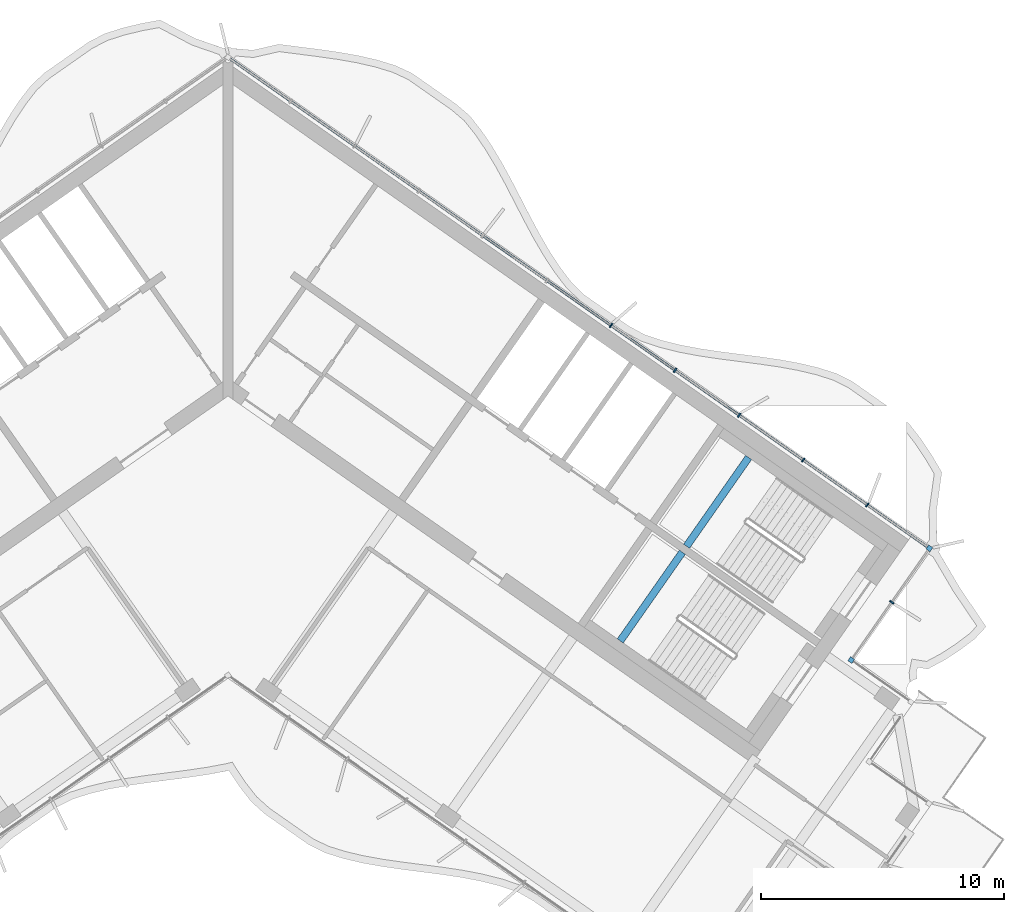
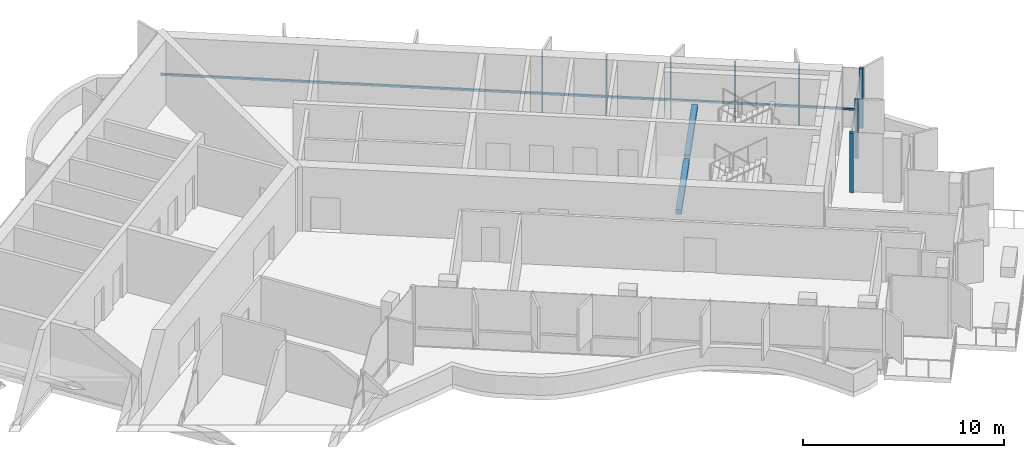
# One storey, part 5 of 18: 9 members, 2 beams, 2 elements without a shape of their own.
"""IFC4 building model written with IfcOpenShell, lengths in metres."""

from ifc_helpers import new_model, si_unit, direction, frame, origin, origin_2d, place, context, subcontext, project, spatial, rectangle, extrude, material, material_profile, profile_set, type_object, element, aggregate, save


model = new_model("IFC4")

# Units and contexts
model_context = context("Model", 3, precision=1e-05, world=origin(), true_north=direction((0.0, 1.0)))
body_context = subcontext(model_context, "Body", "Model", "MODEL_VIEW")
ifc_project = project(units=[si_unit("LENGTHUNIT", "METRE"), si_unit("AREAUNIT", "SQUARE_METRE"), si_unit("VOLUMEUNIT", "CUBIC_METRE"), si_unit("PLANEANGLEUNIT", "RADIAN"), si_unit("MASSUNIT", "GRAM", prefix="KILO")], contexts=[model_context])

# Site, building, storey
site_placement = place(None, origin())
site = spatial("IfcSite", under=ifc_project, at=site_placement, CompositionType="ELEMENT")
building_placement = place(site_placement, origin())
building = spatial("IfcBuilding", under=site, at=building_placement, Name="Tel Ilan Convention Tower", CompositionType="ELEMENT")
storey_placement = place(building_placement, frame((0.0, 0.0, 272.199951171875)))
storey = spatial("IfcBuildingStorey", under=building, at=storey_placement, Name="L64", CompositionType="ELEMENT", Elevation=272.199951171875)

# Curtain wall, member
ifc_material_1 = material(Name="Aluminium, bronze anodised", Category="aluminium")
curtain_wall_type_1 = type_object("IfcCurtainWallType", Name="CW5 STICK CURTAIN WALL, UPPER OFFICE LOW-IRON TINTED GLASS", PredefinedType="NOTDEFINED", material=ifc_material_1)
curtain_wall_1_placement = place(storey_placement, origin())
curtain_wall_1 = element("IfcCurtainWall", 1, at=curtain_wall_1_placement, inside=storey, type_object=curtain_wall_type_1, Name="Curtain wall CW5-49.02", PredefinedType="NOTDEFINED")
ifc_material_2 = material(Name="Aluminium, bronze anodised", Category="aluminium")
ifc_material_profile_1 = material_profile(ifc_material_2, rectangle(XDim=0.199951171875, YDim=0.199951171875, at=origin_2d()), Name="CW CORNER MULLION 200x200")
ifc_profile_set_1 = profile_set([ifc_material_profile_1], Name="Aluminium, bronze anodised")
member_type_1 = type_object("IfcMemberType", Name="CW CORNER MULLION 200x200", PredefinedType="MULLION", material=ifc_profile_set_1)
member_1_placement = place(storey_placement, frame((25.607421875, -12.07080078125, 0.0), z_axis=(0.0, 0.0, 1.0), x_axis=(-0.819152044289, 0.573576436351, 0.0)))
member_1 = element("IfcMember", 2, at=member_1_placement, type_object=member_type_1, Name="Corner mullion", PredefinedType="MULLION", context=body_context, shape_type="SweptSolid", body=[
    extrude(rectangle(XDim=0.199951171875, YDim=0.199951171875, at=origin_2d()), origin(), (0.0, 0.0, 1.0), 3.6201171875),
])
aggregate(curtain_wall_1, [member_1])

# Curtain wall, members
ifc_material_3 = material(Name="Aluminium, bronze anodised", Category="aluminium")
curtain_wall_type_2 = type_object("IfcCurtainWallType", Name="CW2 STICK CURTAIN WALL, SPANDREL PANELS", PredefinedType="NOTDEFINED", material=ifc_material_3)
curtain_wall_2_placement = place(storey_placement, origin())
curtain_wall_2 = element("IfcCurtainWall", 3, at=curtain_wall_2_placement, inside=storey, type_object=curtain_wall_type_2, Name="Curtain wall CW2-49.03", PredefinedType="NOTDEFINED")
member_2_placement = place(storey_placement, frame((28.819580078125, -7.483642578125, 0.0), z_axis=(0.0, 0.0, 1.0), x_axis=(0.573576436351, 0.819152044289, 0.0)))
member_2 = element("IfcMember", 4, at=member_2_placement, type_object=member_type_1, Name="Corner mullion", PredefinedType="MULLION", context=body_context, shape_type="SweptSolid", body=[
    extrude(rectangle(XDim=0.199951171875, YDim=0.199951171875, at=origin_2d()), origin(), (0.0, 0.0, 1.0), 3.6201171875),
])
ifc_material_4 = material(Name="Aluminium, bronze anodised", Category="aluminium")
ifc_material_profile_2 = material_profile(ifc_material_4, rectangle(XDim=0.06005859375, YDim=0.199951171875, at=origin_2d()), Name="CW MULLION 60x200")
ifc_profile_set_2 = profile_set([ifc_material_profile_2], Name="Aluminium, bronze anodised")
member_type_2 = type_object("IfcMemberType", Name="CW MULLION 60x200", PredefinedType="MULLION", material=ifc_profile_set_2)
member_3_placement = place(storey_placement, frame((27.27099609375, -9.6953125, 0.0), z_axis=(0.0, 0.0, 1.0), x_axis=(0.573576436351, 0.819152044289, 0.0)))
member_3 = element("IfcMember", 5, at=member_3_placement, type_object=member_type_2, Name="Mullion", PredefinedType="MULLION", context=body_context, shape_type="SweptSolid", body=[
    extrude(rectangle(XDim=0.06005859375, YDim=0.199951171875, at=origin_2d()), origin(), (0.0, 0.0, 1.0), 3.6201171875),
])
member_4_placement = place(storey_placement, frame((26.268798828125, -5.697509765625, 0.0), z_axis=(0.0, 0.0, 1.0), x_axis=(-0.819152044289, 0.573576436351, 0.0)))
member_4 = element("IfcMember", 6, at=member_4_placement, type_object=member_type_2, Name="Mullion", PredefinedType="MULLION", context=body_context, shape_type="SweptSolid", body=[
    extrude(rectangle(XDim=0.06005859375, YDim=0.199951171875, at=origin_2d()), origin(), (0.0, 0.0, 1.0), 3.6201171875),
])
member_5_placement = place(storey_placement, frame((23.63623046875, -3.854248046875, 0.0), z_axis=(0.0, 0.0, 1.0), x_axis=(-0.819152044289, 0.573576436351, 0.0)))
member_5 = element("IfcMember", 7, at=member_5_placement, type_object=member_type_2, Name="Mullion", PredefinedType="MULLION", context=body_context, shape_type="SweptSolid", body=[
    extrude(rectangle(XDim=0.06005859375, YDim=0.199951171875, at=origin_2d()), origin(), (0.0, 0.0, 1.0), 3.6201171875),
])
member_6_placement = place(storey_placement, frame((21.003662109375, -2.0107421875, 0.0), z_axis=(0.0, 0.0, 1.0), x_axis=(-0.819152044289, 0.573576436351, 0.0)))
member_6 = element("IfcMember", 8, at=member_6_placement, type_object=member_type_2, Name="Mullion", PredefinedType="MULLION", context=body_context, shape_type="SweptSolid", body=[
    extrude(rectangle(XDim=0.06005859375, YDim=0.199951171875, at=origin_2d()), origin(), (0.0, 0.0, 1.0), 3.6201171875),
])
member_7_placement = place(storey_placement, frame((18.37109375, -0.16748046875, 0.0), z_axis=(0.0, 0.0, 1.0), x_axis=(-0.819152044289, 0.573576436351, 0.0)))
member_7 = element("IfcMember", 9, at=member_7_placement, type_object=member_type_2, Name="Mullion", PredefinedType="MULLION", context=body_context, shape_type="SweptSolid", body=[
    extrude(rectangle(XDim=0.06005859375, YDim=0.199951171875, at=origin_2d()), origin(), (0.0, 0.0, 1.0), 3.6201171875),
])
member_8_placement = place(storey_placement, frame((15.73828125, 1.676025390625, 0.0), z_axis=(0.0, 0.0, 1.0), x_axis=(-0.819152044289, 0.573576436351, 0.0)))
member_8 = element("IfcMember", 10, at=member_8_placement, type_object=member_type_2, Name="Mullion", PredefinedType="MULLION", context=body_context, shape_type="SweptSolid", body=[
    extrude(rectangle(XDim=0.06005859375, YDim=0.199951171875, at=origin_2d()), origin(), (0.0, 0.0, 1.0), 3.6201171875),
])
ifc_material_5 = material(Name="Aluminium, bronze anodised", Category="aluminium")
ifc_material_profile_3 = material_profile(ifc_material_5, rectangle(XDim=0.10009765625, YDim=0.1201171875, at=origin_2d()), Name="CW TRANSOM 100x120")
ifc_profile_set_3 = profile_set([ifc_material_profile_3], Name="Aluminium, bronze anodised")
member_type_3 = type_object("IfcMemberType", Name="CW TRANSOM 100x120", PredefinedType="USERDEFINED", material=ifc_profile_set_3)
member_9_placement = place(storey_placement, frame((28.737548828125, -7.42626953125, 1.10009765625), z_axis=(-0.819150201937, 0.573579067494, 0.0), x_axis=(-0.573579067494, -0.819150201937, 0.0)))
member_9 = element("IfcMember", 11, at=member_9_placement, type_object=member_type_3, Name="Transom", ObjectType="TRANSOM", PredefinedType="USERDEFINED", context=body_context, shape_type="SweptSolid", body=[
    extrude(rectangle(XDim=0.10009765625, YDim=0.1201171875, at=origin_2d()), origin(), (0.0, 0.0, 1.0), 34.9521484375),
])
aggregate(curtain_wall_2, [member_3, member_2, member_4, member_5, member_6, member_7, member_8, member_9])

# Beams
ifc_material_6 = material(Name="Concrete C40/50", Category="concrete")
ifc_material_profile_4 = material_profile(ifc_material_6, rectangle(XDim=0.300048828125, YDim=0.300048828125, at=origin_2d()), Name="RC 300x300")
ifc_profile_set_4 = profile_set([ifc_material_profile_4], Name="Concrete C40/50")
beam_type = type_object("IfcBeamType", Name="Landing Beam RC 300x300 Concrete C40/50", PredefinedType="BEAM", material=ifc_profile_set_4)
beam_1_placement = place(storey_placement, frame((21.39404296875, -3.7490234375, 1.60009765625), z_axis=(-0.573547030514, -0.819172633691, 0.0), x_axis=(0.819172633691, -0.573547030514, 0.0)))
element("IfcBeam", 12, at=beam_1_placement, inside=storey, type_object=beam_type, Name="S3 landing beam L64.1", PredefinedType="BEAM", context=body_context, shape_type="SweptSolid", body=[
    extrude(rectangle(XDim=0.300048828125, YDim=0.300048828125, at=origin_2d()), origin(), (0.0, 0.0, 1.0), 4.449951171875),
])
beam_2_placement = place(storey_placement, frame((18.669677734375, -7.64013671875, 1.60009765625), z_axis=(-0.573583844845, -0.819146856756, 0.0), x_axis=(0.819146856756, -0.573583844845, 0.0)))
element("IfcBeam", 13, at=beam_2_placement, inside=storey, type_object=beam_type, Name="S4 landing beam L64.1", PredefinedType="BEAM", context=body_context, shape_type="SweptSolid", body=[
    extrude(rectangle(XDim=0.300048828125, YDim=0.300048828125, at=origin_2d()), origin(), (0.0, 0.0, 1.0), 4.4501953125),
])

save(model, "model.ifc")
